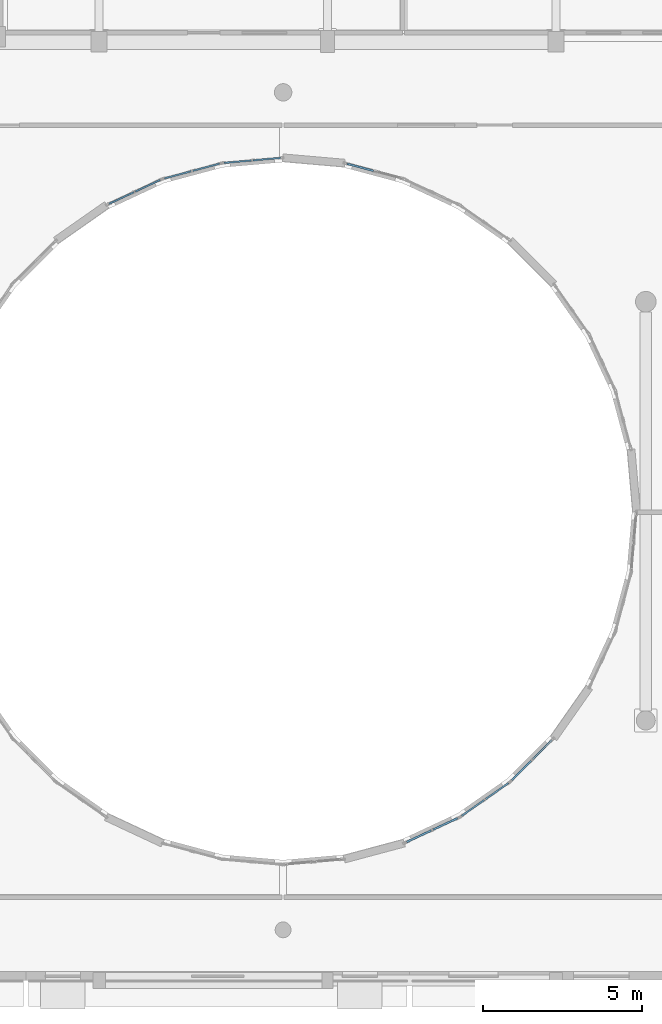
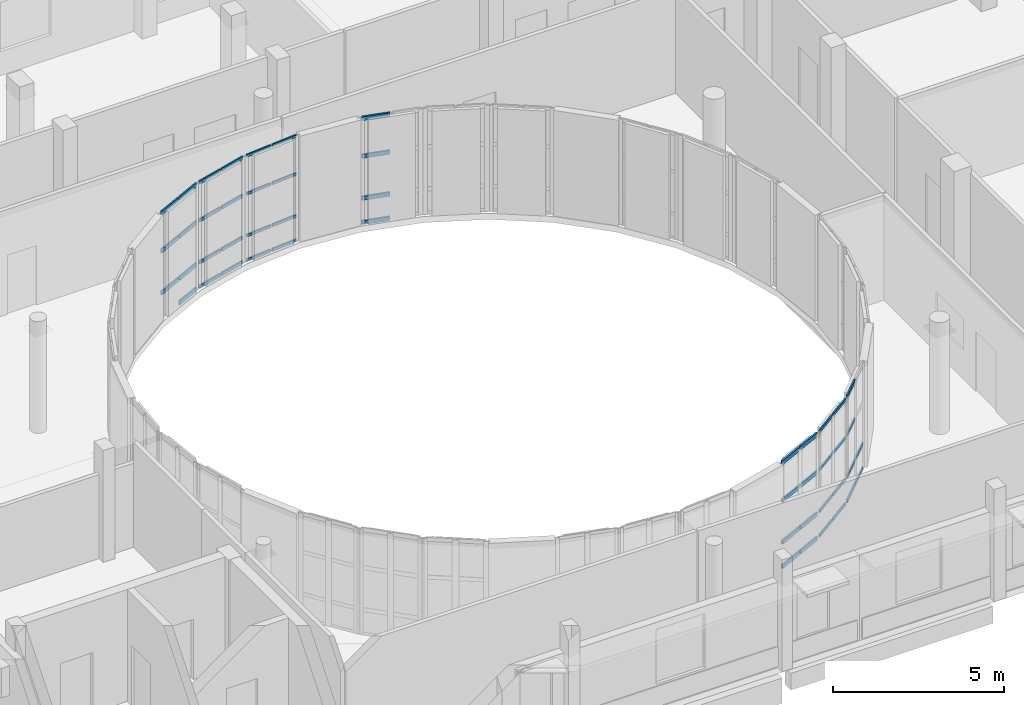
# One storey, part 48 of 89: 49 members, 7 elements without a shape of their own.
"""IFC4 building model written with IfcOpenShell, lengths in metres."""

from ifc_helpers import new_model, si_unit, direction, frame, origin, origin_2d, place, context, subcontext, project, spatial, hollow_rectangle, extrude, material, layer, layer_set, material_profile, profile_set, type_object, element, aggregate, save


model = new_model("IFC4")

# Units and contexts
model_context = context("Model", 3, precision=1e-05, world=origin(), true_north=direction((0.0, 1.0)))
body_context = subcontext(model_context, "Body", "Model", "MODEL_VIEW")
ifc_project = project(units=[si_unit("LENGTHUNIT", "METRE"), si_unit("AREAUNIT", "SQUARE_METRE"), si_unit("VOLUMEUNIT", "CUBIC_METRE"), si_unit("PLANEANGLEUNIT", "RADIAN"), si_unit("MASSUNIT", "GRAM", prefix="KILO")], contexts=[model_context])

# Site, building, storey
site_placement = place(None, origin())
site = spatial("IfcSite", under=ifc_project, at=site_placement, CompositionType="ELEMENT")
building_placement = place(site_placement, origin())
building = spatial("IfcBuilding", under=site, at=building_placement, Name="Kelanivale Promenade Academy", CompositionType="ELEMENT")
storey_placement = place(building_placement, frame((0.0, 0.0, 12.199951171875)))
storey = spatial("IfcBuildingStorey", under=building, at=storey_placement, Name="L03", CompositionType="ELEMENT", Elevation=12.199951171875)

# Curtain wall, members
ifc_material_1 = material(Name="Bronze anodised aluminium and solar-control low-E glass", Category="aluminium")
ifc_layer_1 = layer(ifc_material_1, 0.179931640625)
ifc_layer_set_1 = layer_set([ifc_layer_1], Name="Bronze anodised aluminium and solar-control low-E glass")
curtain_wall_type_1 = type_object("IfcCurtainWallType", Name="CW-17 Curtain Wall 1950mm Module", PredefinedType="USERDEFINED", material=ifc_layer_set_1)
curtain_wall_1_placement = place(storey_placement, origin())
curtain_wall_1 = element("IfcCurtainWall", 1, at=curtain_wall_1_placement, inside=storey, type_object=curtain_wall_type_1, Name="L03 courtyard curtain wall CW-17", ObjectType="COURTYARD SCREEN GLAZING", PredefinedType="USERDEFINED")
ifc_material_2 = material(Name="Bronze anodised aluminium EN AW-6063 T6", Category="aluminium")
ifc_material_profile_1 = material_profile(ifc_material_2, hollow_rectangle(XDim=0.050048828125, YDim=0.10009765625, WallThickness=0.0029296875, at=origin_2d()), Name="ALU 50x100x3.0")
ifc_profile_set_1 = profile_set([ifc_material_profile_1], Name="Bronze anodised aluminium EN AW-6063 T6")
member_type_1 = type_object("IfcMemberType", Name="CWT-01 ALU 50x100x3.0", PredefinedType="USERDEFINED", material=ifc_profile_set_1)
member_1_placement = place(storey_placement, frame((63.313232421875, 67.932861328125, 0.025146484375), z_axis=(-0.996180782713, -0.087314650278, 0.0), x_axis=(0.087314650278, -0.996180782713, 0.0)))
member_1 = element("IfcMember", 2, at=member_1_placement, type_object=member_type_1, Name="CW-17 transom 1.1", ObjectType="TRANSOM", PredefinedType="USERDEFINED", context=body_context, shape_type="SweptSolid", body=[
    extrude(hollow_rectangle(XDim=0.050048828125, YDim=0.10009765625, WallThickness=0.0029296875, at=origin_2d()), origin(), (0.0, 0.0, 1.0), 0.861083984375),
])
member_2_placement = place(storey_placement, frame((63.313232421875, 67.932861328125, 0.900146484375), z_axis=(-0.996180782713, -0.087314650278, 0.0), x_axis=(0.087314650278, -0.996180782713, 0.0)))
member_2 = element("IfcMember", 3, at=member_2_placement, type_object=member_type_1, Name="CW-17 transom 1.2", ObjectType="TRANSOM", PredefinedType="USERDEFINED", context=body_context, shape_type="SweptSolid", body=[
    extrude(hollow_rectangle(XDim=0.050048828125, YDim=0.10009765625, WallThickness=0.0029296875, at=origin_2d()), origin(), (0.0, 0.0, 1.0), 0.861083984375),
])
member_3_placement = place(storey_placement, frame((63.313232421875, 67.932861328125, 2.400146484375), z_axis=(-0.996180782713, -0.087314650278, 0.0), x_axis=(0.087314650278, -0.996180782713, 0.0)))
member_3 = element("IfcMember", 4, at=member_3_placement, type_object=member_type_1, Name="CW-17 transom 1.3", ObjectType="TRANSOM", PredefinedType="USERDEFINED", context=body_context, shape_type="SweptSolid", body=[
    extrude(hollow_rectangle(XDim=0.050048828125, YDim=0.10009765625, WallThickness=0.0029296875, at=origin_2d()), origin(), (0.0, 0.0, 1.0), 0.861083984375),
])
member_4_placement = place(storey_placement, frame((63.313232421875, 67.932861328125, 3.755126953125), z_axis=(-0.996180782713, -0.087314650278, 0.0), x_axis=(0.087314650278, -0.996180782713, 0.0)))
member_4 = element("IfcMember", 5, at=member_4_placement, type_object=member_type_1, Name="CW-17 transom 1.4", ObjectType="TRANSOM", PredefinedType="USERDEFINED", context=body_context, shape_type="SweptSolid", body=[
    extrude(hollow_rectangle(XDim=0.050048828125, YDim=0.10009765625, WallThickness=0.0029296875, at=origin_2d()), origin(), (0.0, 0.0, 1.0), 0.861083984375),
])
member_5_placement = place(storey_placement, frame((62.3955078125, 67.852294921875, 0.025146484375), z_axis=(-0.996203253478, -0.087057898895, 0.0), x_axis=(0.087057898895, -0.996203253478, 0.0)))
member_5 = element("IfcMember", 6, at=member_5_placement, type_object=member_type_1, Name="CW-17 transom 2.1", ObjectType="TRANSOM", PredefinedType="USERDEFINED", context=body_context, shape_type="SweptSolid", body=[
    extrude(hollow_rectangle(XDim=0.050048828125, YDim=0.10009765625, WallThickness=0.0029296875, at=origin_2d()), origin(), (0.0, 0.0, 1.0), 0.86083984375),
])
member_6_placement = place(storey_placement, frame((62.3955078125, 67.852294921875, 0.900146484375), z_axis=(-0.996203253478, -0.087057898895, 0.0), x_axis=(0.087057898895, -0.996203253478, 0.0)))
member_6 = element("IfcMember", 7, at=member_6_placement, type_object=member_type_1, Name="CW-17 transom 2.2", ObjectType="TRANSOM", PredefinedType="USERDEFINED", context=body_context, shape_type="SweptSolid", body=[
    extrude(hollow_rectangle(XDim=0.050048828125, YDim=0.10009765625, WallThickness=0.0029296875, at=origin_2d()), origin(), (0.0, 0.0, 1.0), 0.86083984375),
])
member_7_placement = place(storey_placement, frame((62.3955078125, 67.852294921875, 2.400146484375), z_axis=(-0.996203253478, -0.087057898895, 0.0), x_axis=(0.087057898895, -0.996203253478, 0.0)))
member_7 = element("IfcMember", 8, at=member_7_placement, type_object=member_type_1, Name="CW-17 transom 2.3", ObjectType="TRANSOM", PredefinedType="USERDEFINED", context=body_context, shape_type="SweptSolid", body=[
    extrude(hollow_rectangle(XDim=0.050048828125, YDim=0.10009765625, WallThickness=0.0029296875, at=origin_2d()), origin(), (0.0, 0.0, 1.0), 0.86083984375),
])
member_8_placement = place(storey_placement, frame((62.3955078125, 67.852294921875, 3.755126953125), z_axis=(-0.996203253478, -0.087057898895, 0.0), x_axis=(0.087057898895, -0.996203253478, 0.0)))
member_8 = element("IfcMember", 9, at=member_8_placement, type_object=member_type_1, Name="CW-17 transom 2.4", ObjectType="TRANSOM", PredefinedType="USERDEFINED", context=body_context, shape_type="SweptSolid", body=[
    extrude(hollow_rectangle(XDim=0.050048828125, YDim=0.10009765625, WallThickness=0.0029296875, at=origin_2d()), origin(), (0.0, 0.0, 1.0), 0.86083984375),
])
aggregate(curtain_wall_1, [member_1, member_2, member_3, member_4, member_5, member_6, member_7, member_8])

ifc_layer_2 = layer(ifc_material_1, 0.159912109375)
ifc_layer_set_2 = layer_set([ifc_layer_2], Name="Bronze anodised aluminium and solar-control low-E glass")
curtain_wall_type_2 = type_object("IfcCurtainWallType", Name="CW-09 Curtain Wall 1650mm Module", PredefinedType="USERDEFINED", material=ifc_layer_set_2)
curtain_wall_2_placement = place(storey_placement, origin())
curtain_wall_2 = element("IfcCurtainWall", 10, at=curtain_wall_2_placement, inside=storey, type_object=curtain_wall_type_2, Name="L03 courtyard curtain wall CW-09", ObjectType="UNITISED GLAZING", PredefinedType="USERDEFINED")
member_9_placement = place(storey_placement, frame((69.029052734375, 47.193359375, 0.025146484375), z_axis=(0.819126330655, 0.573613157475, 0.0), x_axis=(-0.573613157475, 0.819126330655, 0.0)))
member_9 = element("IfcMember", 11, at=member_9_placement, type_object=member_type_1, Name="CW-09 transom 1.1", ObjectType="TRANSOM", PredefinedType="USERDEFINED", context=body_context, shape_type="SweptSolid", body=[
    extrude(hollow_rectangle(XDim=0.050048828125, YDim=0.10009765625, WallThickness=0.0029296875, at=origin_2d()), origin(), (0.0, 0.0, 1.0), 0.869140625),
])
member_10_placement = place(storey_placement, frame((69.029052734375, 47.193359375, 0.900146484375), z_axis=(0.819126330655, 0.573613157475, 0.0), x_axis=(-0.573613157475, 0.819126330655, 0.0)))
member_10 = element("IfcMember", 12, at=member_10_placement, type_object=member_type_1, Name="CW-09 transom 1.2", ObjectType="TRANSOM", PredefinedType="USERDEFINED", context=body_context, shape_type="SweptSolid", body=[
    extrude(hollow_rectangle(XDim=0.050048828125, YDim=0.10009765625, WallThickness=0.0029296875, at=origin_2d()), origin(), (0.0, 0.0, 1.0), 0.869140625),
])
member_11_placement = place(storey_placement, frame((69.029052734375, 47.193359375, 2.400146484375), z_axis=(0.819126330655, 0.573613157475, 0.0), x_axis=(-0.573613157475, 0.819126330655, 0.0)))
member_11 = element("IfcMember", 13, at=member_11_placement, type_object=member_type_1, Name="CW-09 transom 1.3", ObjectType="TRANSOM", PredefinedType="USERDEFINED", context=body_context, shape_type="SweptSolid", body=[
    extrude(hollow_rectangle(XDim=0.050048828125, YDim=0.10009765625, WallThickness=0.0029296875, at=origin_2d()), origin(), (0.0, 0.0, 1.0), 0.869140625),
])
member_12_placement = place(storey_placement, frame((69.029052734375, 47.193359375, 3.755126953125), z_axis=(0.819126330655, 0.573613157475, 0.0), x_axis=(-0.573613157475, 0.819126330655, 0.0)))
member_12 = element("IfcMember", 14, at=member_12_placement, type_object=member_type_1, Name="CW-09 transom 1.4", ObjectType="TRANSOM", PredefinedType="USERDEFINED", context=body_context, shape_type="SweptSolid", body=[
    extrude(hollow_rectangle(XDim=0.050048828125, YDim=0.10009765625, WallThickness=0.0029296875, at=origin_2d()), origin(), (0.0, 0.0, 1.0), 0.869140625),
])
member_13_placement = place(storey_placement, frame((69.7900390625, 47.726318359375, 0.025146484375), z_axis=(0.819258317899, 0.573424631973, 0.0), x_axis=(-0.573424631973, 0.819258317899, 0.0)))
member_13 = element("IfcMember", 15, at=member_13_placement, type_object=member_type_1, Name="CW-09 transom 2.1", ObjectType="TRANSOM", PredefinedType="USERDEFINED", context=body_context, shape_type="SweptSolid", body=[
    extrude(hollow_rectangle(XDim=0.050048828125, YDim=0.10009765625, WallThickness=0.0029296875, at=origin_2d()), origin(), (0.0, 0.0, 1.0), 0.868896484375),
])
member_14_placement = place(storey_placement, frame((69.7900390625, 47.726318359375, 0.900146484375), z_axis=(0.819258317899, 0.573424631973, 0.0), x_axis=(-0.573424631973, 0.819258317899, 0.0)))
member_14 = element("IfcMember", 16, at=member_14_placement, type_object=member_type_1, Name="CW-09 transom 2.2", ObjectType="TRANSOM", PredefinedType="USERDEFINED", context=body_context, shape_type="SweptSolid", body=[
    extrude(hollow_rectangle(XDim=0.050048828125, YDim=0.10009765625, WallThickness=0.0029296875, at=origin_2d()), origin(), (0.0, 0.0, 1.0), 0.868896484375),
])
member_15_placement = place(storey_placement, frame((69.7900390625, 47.726318359375, 2.400146484375), z_axis=(0.819258317899, 0.573424631973, 0.0), x_axis=(-0.573424631973, 0.819258317899, 0.0)))
member_15 = element("IfcMember", 17, at=member_15_placement, type_object=member_type_1, Name="CW-09 transom 2.3", ObjectType="TRANSOM", PredefinedType="USERDEFINED", context=body_context, shape_type="SweptSolid", body=[
    extrude(hollow_rectangle(XDim=0.050048828125, YDim=0.10009765625, WallThickness=0.0029296875, at=origin_2d()), origin(), (0.0, 0.0, 1.0), 0.868896484375),
])
member_16_placement = place(storey_placement, frame((69.7900390625, 47.726318359375, 3.755126953125), z_axis=(0.819258317899, 0.573424631973, 0.0), x_axis=(-0.573424631973, 0.819258317899, 0.0)))
member_16 = element("IfcMember", 18, at=member_16_placement, type_object=member_type_1, Name="CW-09 transom 2.4", ObjectType="TRANSOM", PredefinedType="USERDEFINED", context=body_context, shape_type="SweptSolid", body=[
    extrude(hollow_rectangle(XDim=0.050048828125, YDim=0.10009765625, WallThickness=0.0029296875, at=origin_2d()), origin(), (0.0, 0.0, 1.0), 0.868896484375),
])
aggregate(curtain_wall_2, [member_9, member_10, member_11, member_12, member_13, member_14, member_15, member_16])

ifc_layer_3 = layer(ifc_material_1, 0.159912109375)
ifc_layer_set_3 = layer_set([ifc_layer_3], Name="Bronze anodised aluminium and solar-control low-E glass")
curtain_wall_type_3 = type_object("IfcCurtainWallType", Name="CW-18 Curtain Wall 1200mm Module", PredefinedType="USERDEFINED", material=ifc_layer_set_3)
curtain_wall_3_placement = place(storey_placement, origin())
curtain_wall_3 = element("IfcCurtainWall", 19, at=curtain_wall_3_placement, inside=storey, type_object=curtain_wall_type_3, Name="L03 courtyard curtain wall CW-18", ObjectType="COURTYARD SCREEN GLAZING", PredefinedType="USERDEFINED")
ifc_material_profile_2 = material_profile(ifc_material_2, hollow_rectangle(XDim=0.050048828125, YDim=0.1201171875, WallThickness=0.0029296875, at=origin_2d()), Name="ALU 50x120x3.0")
ifc_profile_set_2 = profile_set([ifc_material_profile_2], Name="Bronze anodised aluminium EN AW-6063 T6")
member_type_2 = type_object("IfcMemberType", Name="CWT-02 ALU 50x120x3.0", PredefinedType="USERDEFINED", material=ifc_profile_set_2)
member_17_placement = place(storey_placement, frame((61.39599609375, 67.75244140625, 0.025146484375), z_axis=(-0.965991939644, -0.258572180527, 0.0), x_axis=(0.258572180527, -0.965991939644, 0.0)))
member_17 = element("IfcMember", 20, at=member_17_placement, type_object=member_type_2, Name="CW-18 transom 1.1", ObjectType="TRANSOM", PredefinedType="USERDEFINED", context=body_context, shape_type="SweptSolid", body=[
    extrude(hollow_rectangle(XDim=0.050048828125, YDim=0.1201171875, WallThickness=0.0029296875, at=origin_2d()), origin(), (0.0, 0.0, 1.0), 0.86865234375),
])
member_18_placement = place(storey_placement, frame((61.39599609375, 67.75244140625, 0.900146484375), z_axis=(-0.965991939644, -0.258572180527, 0.0), x_axis=(0.258572180527, -0.965991939644, 0.0)))
member_18 = element("IfcMember", 21, at=member_18_placement, type_object=member_type_2, Name="CW-18 transom 1.2", ObjectType="TRANSOM", PredefinedType="USERDEFINED", context=body_context, shape_type="SweptSolid", body=[
    extrude(hollow_rectangle(XDim=0.050048828125, YDim=0.1201171875, WallThickness=0.0029296875, at=origin_2d()), origin(), (0.0, 0.0, 1.0), 0.86865234375),
])
member_19_placement = place(storey_placement, frame((61.39599609375, 67.75244140625, 2.400146484375), z_axis=(-0.965991939644, -0.258572180527, 0.0), x_axis=(0.258572180527, -0.965991939644, 0.0)))
member_19 = element("IfcMember", 22, at=member_19_placement, type_object=member_type_2, Name="CW-18 transom 1.3", ObjectType="TRANSOM", PredefinedType="USERDEFINED", context=body_context, shape_type="SweptSolid", body=[
    extrude(hollow_rectangle(XDim=0.050048828125, YDim=0.1201171875, WallThickness=0.0029296875, at=origin_2d()), origin(), (0.0, 0.0, 1.0), 0.86865234375),
])
member_20_placement = place(storey_placement, frame((61.39599609375, 67.75244140625, 3.755126953125), z_axis=(-0.965991939644, -0.258572180527, 0.0), x_axis=(0.258572180527, -0.965991939644, 0.0)))
member_20 = element("IfcMember", 23, at=member_20_placement, type_object=member_type_2, Name="CW-18 transom 1.4", ObjectType="TRANSOM", PredefinedType="USERDEFINED", context=body_context, shape_type="SweptSolid", body=[
    extrude(hollow_rectangle(XDim=0.050048828125, YDim=0.1201171875, WallThickness=0.0029296875, at=origin_2d()), origin(), (0.0, 0.0, 1.0), 0.86865234375),
])
member_21_placement = place(storey_placement, frame((60.4990234375, 67.51220703125, 0.025146484375), z_axis=(-0.965991939644, -0.258572180527, 0.0), x_axis=(0.258572180527, -0.965991939644, 0.0)))
member_21 = element("IfcMember", 24, at=member_21_placement, type_object=member_type_2, Name="CW-18 transom 2.1", ObjectType="TRANSOM", PredefinedType="USERDEFINED", context=body_context, shape_type="SweptSolid", body=[
    extrude(hollow_rectangle(XDim=0.050048828125, YDim=0.1201171875, WallThickness=0.0029296875, at=origin_2d()), origin(), (0.0, 0.0, 1.0), 0.86865234375),
])
member_22_placement = place(storey_placement, frame((60.4990234375, 67.51220703125, 0.900146484375), z_axis=(-0.965991939644, -0.258572180527, 0.0), x_axis=(0.258572180527, -0.965991939644, 0.0)))
member_22 = element("IfcMember", 25, at=member_22_placement, type_object=member_type_2, Name="CW-18 transom 2.2", ObjectType="TRANSOM", PredefinedType="USERDEFINED", context=body_context, shape_type="SweptSolid", body=[
    extrude(hollow_rectangle(XDim=0.050048828125, YDim=0.1201171875, WallThickness=0.0029296875, at=origin_2d()), origin(), (0.0, 0.0, 1.0), 0.86865234375),
])
member_23_placement = place(storey_placement, frame((60.4990234375, 67.51220703125, 2.400146484375), z_axis=(-0.965991939644, -0.258572180527, 0.0), x_axis=(0.258572180527, -0.965991939644, 0.0)))
member_23 = element("IfcMember", 26, at=member_23_placement, type_object=member_type_2, Name="CW-18 transom 2.3", ObjectType="TRANSOM", PredefinedType="USERDEFINED", context=body_context, shape_type="SweptSolid", body=[
    extrude(hollow_rectangle(XDim=0.050048828125, YDim=0.1201171875, WallThickness=0.0029296875, at=origin_2d()), origin(), (0.0, 0.0, 1.0), 0.86865234375),
])
member_24_placement = place(storey_placement, frame((60.4990234375, 67.51220703125, 3.755126953125), z_axis=(-0.965991939644, -0.258572180527, 0.0), x_axis=(0.258572180527, -0.965991939644, 0.0)))
member_24 = element("IfcMember", 27, at=member_24_placement, type_object=member_type_2, Name="CW-18 transom 2.4", ObjectType="TRANSOM", PredefinedType="USERDEFINED", context=body_context, shape_type="SweptSolid", body=[
    extrude(hollow_rectangle(XDim=0.050048828125, YDim=0.1201171875, WallThickness=0.0029296875, at=origin_2d()), origin(), (0.0, 0.0, 1.0), 0.86865234375),
])
aggregate(curtain_wall_3, [member_17, member_18, member_19, member_20, member_21, member_22, member_23, member_24])

ifc_layer_4 = layer(ifc_material_1, 0.169921875)
ifc_layer_set_4 = layer_set([ifc_layer_4], Name="Bronze anodised aluminium and solar-control low-E glass")
curtain_wall_type_4 = type_object("IfcCurtainWallType", Name="CW-10 Curtain Wall 1800mm Module", PredefinedType="USERDEFINED", material=ifc_layer_set_4)
curtain_wall_4_placement = place(storey_placement, origin())
curtain_wall_4 = element("IfcCurtainWall", 28, at=curtain_wall_4_placement, inside=storey, type_object=curtain_wall_type_4, Name="L03 courtyard curtain wall CW-10", ObjectType="UNITISED GLAZING", PredefinedType="USERDEFINED")
member_25_placement = place(storey_placement, frame((70.6123046875, 48.3173828125, 0.025146484375), z_axis=(0.707106781187, 0.707106781187, 0.0), x_axis=(-0.707106781187, 0.707106781187, 0.0)))
member_25 = element("IfcMember", 29, at=member_25_placement, type_object=member_type_2, Name="CW-10 transom 1.1", ObjectType="TRANSOM", PredefinedType="USERDEFINED", context=body_context, shape_type="SweptSolid", body=[
    extrude(hollow_rectangle(XDim=0.050048828125, YDim=0.1201171875, WallThickness=0.0029296875, at=origin_2d()), origin(), (0.0, 0.0, 1.0), 0.8603515625),
])
member_26_placement = place(storey_placement, frame((70.6123046875, 48.3173828125, 0.900146484375), z_axis=(0.707106781187, 0.707106781187, 0.0), x_axis=(-0.707106781187, 0.707106781187, 0.0)))
member_26 = element("IfcMember", 30, at=member_26_placement, type_object=member_type_2, Name="CW-10 transom 1.2", ObjectType="TRANSOM", PredefinedType="USERDEFINED", context=body_context, shape_type="SweptSolid", body=[
    extrude(hollow_rectangle(XDim=0.050048828125, YDim=0.1201171875, WallThickness=0.0029296875, at=origin_2d()), origin(), (0.0, 0.0, 1.0), 0.8603515625),
])
member_27_placement = place(storey_placement, frame((70.6123046875, 48.3173828125, 2.400146484375), z_axis=(0.707106781187, 0.707106781187, 0.0), x_axis=(-0.707106781187, 0.707106781187, 0.0)))
member_27 = element("IfcMember", 31, at=member_27_placement, type_object=member_type_2, Name="CW-10 transom 1.3", ObjectType="TRANSOM", PredefinedType="USERDEFINED", context=body_context, shape_type="SweptSolid", body=[
    extrude(hollow_rectangle(XDim=0.050048828125, YDim=0.1201171875, WallThickness=0.0029296875, at=origin_2d()), origin(), (0.0, 0.0, 1.0), 0.8603515625),
])
member_28_placement = place(storey_placement, frame((70.6123046875, 48.3173828125, 3.755126953125), z_axis=(0.707106781187, 0.707106781187, 0.0), x_axis=(-0.707106781187, 0.707106781187, 0.0)))
member_28 = element("IfcMember", 32, at=member_28_placement, type_object=member_type_2, Name="CW-10 transom 1.4", ObjectType="TRANSOM", PredefinedType="USERDEFINED", context=body_context, shape_type="SweptSolid", body=[
    extrude(hollow_rectangle(XDim=0.050048828125, YDim=0.1201171875, WallThickness=0.0029296875, at=origin_2d()), origin(), (0.0, 0.0, 1.0), 0.8603515625),
])
member_29_placement = place(storey_placement, frame((71.26318359375, 48.96826171875, 0.025146484375), z_axis=(0.707106781187, 0.707106781187, 0.0), x_axis=(-0.707106781187, 0.707106781187, 0.0)))
member_29 = element("IfcMember", 33, at=member_29_placement, type_object=member_type_2, Name="CW-10 transom 2.1", ObjectType="TRANSOM", PredefinedType="USERDEFINED", context=body_context, shape_type="SweptSolid", body=[
    extrude(hollow_rectangle(XDim=0.050048828125, YDim=0.1201171875, WallThickness=0.0029296875, at=origin_2d()), origin(), (0.0, 0.0, 1.0), 0.8603515625),
])
member_30_placement = place(storey_placement, frame((71.26318359375, 48.96826171875, 0.900146484375), z_axis=(0.707106781187, 0.707106781187, 0.0), x_axis=(-0.707106781187, 0.707106781187, 0.0)))
member_30 = element("IfcMember", 34, at=member_30_placement, type_object=member_type_2, Name="CW-10 transom 2.2", ObjectType="TRANSOM", PredefinedType="USERDEFINED", context=body_context, shape_type="SweptSolid", body=[
    extrude(hollow_rectangle(XDim=0.050048828125, YDim=0.1201171875, WallThickness=0.0029296875, at=origin_2d()), origin(), (0.0, 0.0, 1.0), 0.8603515625),
])
aggregate(curtain_wall_4, [member_25, member_26, member_27, member_28, member_29, member_30])

ifc_layer_5 = layer(ifc_material_1, 0.169921875)
ifc_layer_set_5 = layer_set([ifc_layer_5], Name="Bronze anodised aluminium and solar-control low-E glass")
curtain_wall_type_5 = type_object("IfcCurtainWallType", Name="CW-19 Curtain Wall 1350mm Module", PredefinedType="USERDEFINED", material=ifc_layer_set_5)
curtain_wall_5_placement = place(storey_placement, origin())
curtain_wall_5 = element("IfcCurtainWall", 35, at=curtain_wall_5_placement, inside=storey, type_object=curtain_wall_type_5, Name="L03 courtyard curtain wall CW-19", ObjectType="COURTYARD SCREEN GLAZING", PredefinedType="USERDEFINED")
ifc_material_profile_3 = material_profile(ifc_material_2, hollow_rectangle(XDim=0.050048828125, YDim=0.14990234375, WallThickness=0.00341796875, at=origin_2d()), Name="ALU 50x150x3.5")
ifc_profile_set_3 = profile_set([ifc_material_profile_3], Name="Bronze anodised aluminium EN AW-6063 T6")
member_type_3 = type_object("IfcMemberType", Name="CWT-03 ALU 50x150x3.5", PredefinedType="USERDEFINED", material=ifc_profile_set_3)
member_31_placement = place(storey_placement, frame((59.52001953125, 67.236572265625, 0.025146484375), z_axis=(-0.906058926949, -0.423151534201, 0.0), x_axis=(0.423151534201, -0.906058926949, 0.0)))
member_31 = element("IfcMember", 36, at=member_31_placement, type_object=member_type_3, Name="CW-19 transom 1.1", ObjectType="TRANSOM", PredefinedType="USERDEFINED", context=body_context, shape_type="SweptSolid", body=[
    extrude(hollow_rectangle(XDim=0.050048828125, YDim=0.14990234375, WallThickness=0.00341796875, at=origin_2d()), origin(), (0.0, 0.0, 1.0), 0.85400390625),
])
member_32_placement = place(storey_placement, frame((59.52001953125, 67.236572265625, 0.900146484375), z_axis=(-0.906058926949, -0.423151534201, 0.0), x_axis=(0.423151534201, -0.906058926949, 0.0)))
member_32 = element("IfcMember", 37, at=member_32_placement, type_object=member_type_3, Name="CW-19 transom 1.2", ObjectType="TRANSOM", PredefinedType="USERDEFINED", context=body_context, shape_type="SweptSolid", body=[
    extrude(hollow_rectangle(XDim=0.050048828125, YDim=0.14990234375, WallThickness=0.00341796875, at=origin_2d()), origin(), (0.0, 0.0, 1.0), 0.85400390625),
])
member_33_placement = place(storey_placement, frame((59.52001953125, 67.236572265625, 2.400146484375), z_axis=(-0.906058926949, -0.423151534201, 0.0), x_axis=(0.423151534201, -0.906058926949, 0.0)))
member_33 = element("IfcMember", 38, at=member_33_placement, type_object=member_type_3, Name="CW-19 transom 1.3", ObjectType="TRANSOM", PredefinedType="USERDEFINED", context=body_context, shape_type="SweptSolid", body=[
    extrude(hollow_rectangle(XDim=0.050048828125, YDim=0.14990234375, WallThickness=0.00341796875, at=origin_2d()), origin(), (0.0, 0.0, 1.0), 0.85400390625),
])
member_34_placement = place(storey_placement, frame((59.52001953125, 67.236572265625, 3.755126953125), z_axis=(-0.906058926949, -0.423151534201, 0.0), x_axis=(0.423151534201, -0.906058926949, 0.0)))
member_34 = element("IfcMember", 39, at=member_34_placement, type_object=member_type_3, Name="CW-19 transom 1.4", ObjectType="TRANSOM", PredefinedType="USERDEFINED", context=body_context, shape_type="SweptSolid", body=[
    extrude(hollow_rectangle(XDim=0.050048828125, YDim=0.14990234375, WallThickness=0.00341796875, at=origin_2d()), origin(), (0.0, 0.0, 1.0), 0.85400390625),
])
member_35_placement = place(storey_placement, frame((58.6875, 66.84765625, 0.900146484375), z_axis=(-0.906168528984, -0.42291677323, 0.0), x_axis=(0.42291677323, -0.906168528984, 0.0)))
member_35 = element("IfcMember", 40, at=member_35_placement, type_object=member_type_3, Name="CW-19 transom 2.2", ObjectType="TRANSOM", PredefinedType="USERDEFINED", context=body_context, shape_type="SweptSolid", body=[
    extrude(hollow_rectangle(XDim=0.050048828125, YDim=0.14990234375, WallThickness=0.00341796875, at=origin_2d()), origin(), (0.0, 0.0, 1.0), 0.853759765625),
])
member_36_placement = place(storey_placement, frame((58.6875, 66.84765625, 2.400146484375), z_axis=(-0.906168528984, -0.42291677323, 0.0), x_axis=(0.42291677323, -0.906168528984, 0.0)))
member_36 = element("IfcMember", 41, at=member_36_placement, type_object=member_type_3, Name="CW-19 transom 2.3", ObjectType="TRANSOM", PredefinedType="USERDEFINED", context=body_context, shape_type="SweptSolid", body=[
    extrude(hollow_rectangle(XDim=0.050048828125, YDim=0.14990234375, WallThickness=0.00341796875, at=origin_2d()), origin(), (0.0, 0.0, 1.0), 0.853759765625),
])
member_37_placement = place(storey_placement, frame((58.6875, 66.84765625, 3.755126953125), z_axis=(-0.906168528984, -0.42291677323, 0.0), x_axis=(0.42291677323, -0.906168528984, 0.0)))
member_37 = element("IfcMember", 42, at=member_37_placement, type_object=member_type_3, Name="CW-19 transom 2.4", ObjectType="TRANSOM", PredefinedType="USERDEFINED", context=body_context, shape_type="SweptSolid", body=[
    extrude(hollow_rectangle(XDim=0.050048828125, YDim=0.14990234375, WallThickness=0.00341796875, at=origin_2d()), origin(), (0.0, 0.0, 1.0), 0.853759765625),
])
aggregate(curtain_wall_5, [member_31, member_32, member_33, member_34, member_35, member_36, member_37])

ifc_layer_6 = layer(ifc_material_1, 0.169921875)
ifc_layer_set_6 = layer_set([ifc_layer_6], Name="Bronze anodised aluminium and solar-control low-E glass")
curtain_wall_type_6 = type_object("IfcCurtainWallType", Name="CW-16 Curtain Wall 1800mm Module", PredefinedType="USERDEFINED", material=ifc_layer_set_6)
curtain_wall_6_placement = place(storey_placement, origin())
curtain_wall_6 = element("IfcCurtainWall", 43, at=curtain_wall_6_placement, inside=storey, type_object=curtain_wall_type_6, Name="L03 courtyard curtain wall CW-16", ObjectType="COURTYARD SCREEN GLAZING", PredefinedType="USERDEFINED")
ifc_material_profile_4 = material_profile(ifc_material_2, hollow_rectangle(XDim=0.06005859375, YDim=0.139892578125, WallThickness=0.00341796875, at=origin_2d()), Name="ALU 60x140x3.5")
ifc_profile_set_4 = profile_set([ifc_material_profile_4], Name="Bronze anodised aluminium EN AW-6063 T6")
member_type_4 = type_object("IfcMemberType", Name="CWT-04 ALU 60x140x3.5", PredefinedType="USERDEFINED", material=ifc_profile_set_4)
member_38_placement = place(storey_placement, frame((66.24755859375, 67.5263671875, 0.030029296875), z_axis=(-0.965935288552, 0.258783728875, 0.0), x_axis=(-0.258783728875, -0.965935288552, 0.0)))
member_38 = element("IfcMember", 44, at=member_38_placement, type_object=member_type_4, Name="CW-16 transom 2.1", ObjectType="TRANSOM", PredefinedType="USERDEFINED", context=body_context, shape_type="SweptSolid", body=[
    extrude(hollow_rectangle(XDim=0.06005859375, YDim=0.139892578125, WallThickness=0.00341796875, at=origin_2d()), origin(), (0.0, 0.0, 1.0), 0.853759765625),
])
member_39_placement = place(storey_placement, frame((66.24755859375, 67.5263671875, 0.900146484375), z_axis=(-0.965935288552, 0.258783728875, 0.0), x_axis=(-0.258783728875, -0.965935288552, 0.0)))
member_39 = element("IfcMember", 45, at=member_39_placement, type_object=member_type_4, Name="CW-16 transom 2.2", ObjectType="TRANSOM", PredefinedType="USERDEFINED", context=body_context, shape_type="SweptSolid", body=[
    extrude(hollow_rectangle(XDim=0.06005859375, YDim=0.139892578125, WallThickness=0.00341796875, at=origin_2d()), origin(), (0.0, 0.0, 1.0), 0.853759765625),
])
member_40_placement = place(storey_placement, frame((66.24755859375, 67.5263671875, 2.400146484375), z_axis=(-0.965935288552, 0.258783728875, 0.0), x_axis=(-0.258783728875, -0.965935288552, 0.0)))
member_40 = element("IfcMember", 46, at=member_40_placement, type_object=member_type_4, Name="CW-16 transom 2.3", ObjectType="TRANSOM", PredefinedType="USERDEFINED", context=body_context, shape_type="SweptSolid", body=[
    extrude(hollow_rectangle(XDim=0.06005859375, YDim=0.139892578125, WallThickness=0.00341796875, at=origin_2d()), origin(), (0.0, 0.0, 1.0), 0.853759765625),
])
member_41_placement = place(storey_placement, frame((66.24755859375, 67.5263671875, 3.75), z_axis=(-0.965935288552, 0.258783728875, 0.0), x_axis=(-0.258783728875, -0.965935288552, 0.0)))
member_41 = element("IfcMember", 47, at=member_41_placement, type_object=member_type_4, Name="CW-16 transom 2.4", ObjectType="TRANSOM", PredefinedType="USERDEFINED", context=body_context, shape_type="SweptSolid", body=[
    extrude(hollow_rectangle(XDim=0.06005859375, YDim=0.139892578125, WallThickness=0.00341796875, at=origin_2d()), origin(), (0.0, 0.0, 1.0), 0.853759765625),
])
aggregate(curtain_wall_6, [member_38, member_39, member_40, member_41])

ifc_layer_7 = layer(ifc_material_1, 0.179931640625)
ifc_layer_set_7 = layer_set([ifc_layer_7], Name="Bronze anodised aluminium and solar-control low-E glass")
curtain_wall_type_7 = type_object("IfcCurtainWallType", Name="CW-08 Curtain Wall 1500mm Module", PredefinedType="USERDEFINED", material=ifc_layer_set_7)
curtain_wall_7_placement = place(storey_placement, origin())
curtain_wall_7 = element("IfcCurtainWall", 48, at=curtain_wall_7_placement, inside=storey, type_object=curtain_wall_type_7, Name="L03 courtyard curtain wall CW-08", ObjectType="UNITISED GLAZING", PredefinedType="USERDEFINED")
member_42_placement = place(storey_placement, frame((67.2939453125, 46.369384765625, 0.030029296875), z_axis=(0.906058926949, 0.423151534201, 0.0), x_axis=(-0.423151534201, 0.906058926949, 0.0)))
member_42 = element("IfcMember", 49, at=member_42_placement, type_object=member_type_4, Name="CW-08 transom 1.1", ObjectType="TRANSOM", PredefinedType="USERDEFINED", context=body_context, shape_type="SweptSolid", body=[
    extrude(hollow_rectangle(XDim=0.06005859375, YDim=0.139892578125, WallThickness=0.00341796875, at=origin_2d()), origin(), (0.0, 0.0, 1.0), 0.85400390625),
])
member_43_placement = place(storey_placement, frame((67.2939453125, 46.369384765625, 0.900146484375), z_axis=(0.906058926949, 0.423151534201, 0.0), x_axis=(-0.423151534201, 0.906058926949, 0.0)))
member_43 = element("IfcMember", 50, at=member_43_placement, type_object=member_type_4, Name="CW-08 transom 1.2", ObjectType="TRANSOM", PredefinedType="USERDEFINED", context=body_context, shape_type="SweptSolid", body=[
    extrude(hollow_rectangle(XDim=0.06005859375, YDim=0.139892578125, WallThickness=0.00341796875, at=origin_2d()), origin(), (0.0, 0.0, 1.0), 0.85400390625),
])
member_44_placement = place(storey_placement, frame((67.2939453125, 46.369384765625, 2.400146484375), z_axis=(0.906058926949, 0.423151534201, 0.0), x_axis=(-0.423151534201, 0.906058926949, 0.0)))
member_44 = element("IfcMember", 51, at=member_44_placement, type_object=member_type_4, Name="CW-08 transom 1.3", ObjectType="TRANSOM", PredefinedType="USERDEFINED", context=body_context, shape_type="SweptSolid", body=[
    extrude(hollow_rectangle(XDim=0.06005859375, YDim=0.139892578125, WallThickness=0.00341796875, at=origin_2d()), origin(), (0.0, 0.0, 1.0), 0.85400390625),
])
member_45_placement = place(storey_placement, frame((67.2939453125, 46.369384765625, 3.75), z_axis=(0.906058926949, 0.423151534201, 0.0), x_axis=(-0.423151534201, 0.906058926949, 0.0)))
member_45 = element("IfcMember", 52, at=member_45_placement, type_object=member_type_4, Name="CW-08 transom 1.4", ObjectType="TRANSOM", PredefinedType="USERDEFINED", context=body_context, shape_type="SweptSolid", body=[
    extrude(hollow_rectangle(XDim=0.06005859375, YDim=0.139892578125, WallThickness=0.00341796875, at=origin_2d()), origin(), (0.0, 0.0, 1.0), 0.85400390625),
])
member_46_placement = place(storey_placement, frame((68.12646484375, 46.75830078125, 0.030029296875), z_axis=(0.906168528984, 0.42291677323, 0.0), x_axis=(-0.42291677323, 0.906168528984, 0.0)))
member_46 = element("IfcMember", 53, at=member_46_placement, type_object=member_type_4, Name="CW-08 transom 2.1", ObjectType="TRANSOM", PredefinedType="USERDEFINED", context=body_context, shape_type="SweptSolid", body=[
    extrude(hollow_rectangle(XDim=0.06005859375, YDim=0.139892578125, WallThickness=0.00341796875, at=origin_2d()), origin(), (0.0, 0.0, 1.0), 0.853759765625),
])
member_47_placement = place(storey_placement, frame((68.12646484375, 46.75830078125, 0.900146484375), z_axis=(0.906168528984, 0.42291677323, 0.0), x_axis=(-0.42291677323, 0.906168528984, 0.0)))
member_47 = element("IfcMember", 54, at=member_47_placement, type_object=member_type_4, Name="CW-08 transom 2.2", ObjectType="TRANSOM", PredefinedType="USERDEFINED", context=body_context, shape_type="SweptSolid", body=[
    extrude(hollow_rectangle(XDim=0.06005859375, YDim=0.139892578125, WallThickness=0.00341796875, at=origin_2d()), origin(), (0.0, 0.0, 1.0), 0.853759765625),
])
member_48_placement = place(storey_placement, frame((68.12646484375, 46.75830078125, 2.400146484375), z_axis=(0.906168528984, 0.42291677323, 0.0), x_axis=(-0.42291677323, 0.906168528984, 0.0)))
member_48 = element("IfcMember", 55, at=member_48_placement, type_object=member_type_4, Name="CW-08 transom 2.3", ObjectType="TRANSOM", PredefinedType="USERDEFINED", context=body_context, shape_type="SweptSolid", body=[
    extrude(hollow_rectangle(XDim=0.06005859375, YDim=0.139892578125, WallThickness=0.00341796875, at=origin_2d()), origin(), (0.0, 0.0, 1.0), 0.853759765625),
])
member_49_placement = place(storey_placement, frame((68.12646484375, 46.75830078125, 3.75), z_axis=(0.906168528984, 0.42291677323, 0.0), x_axis=(-0.42291677323, 0.906168528984, 0.0)))
member_49 = element("IfcMember", 56, at=member_49_placement, type_object=member_type_4, Name="CW-08 transom 2.4", ObjectType="TRANSOM", PredefinedType="USERDEFINED", context=body_context, shape_type="SweptSolid", body=[
    extrude(hollow_rectangle(XDim=0.06005859375, YDim=0.139892578125, WallThickness=0.00341796875, at=origin_2d()), origin(), (0.0, 0.0, 1.0), 0.853759765625),
])
aggregate(curtain_wall_7, [member_42, member_43, member_44, member_45, member_46, member_47, member_48, member_49])

save(model, "model.ifc")
